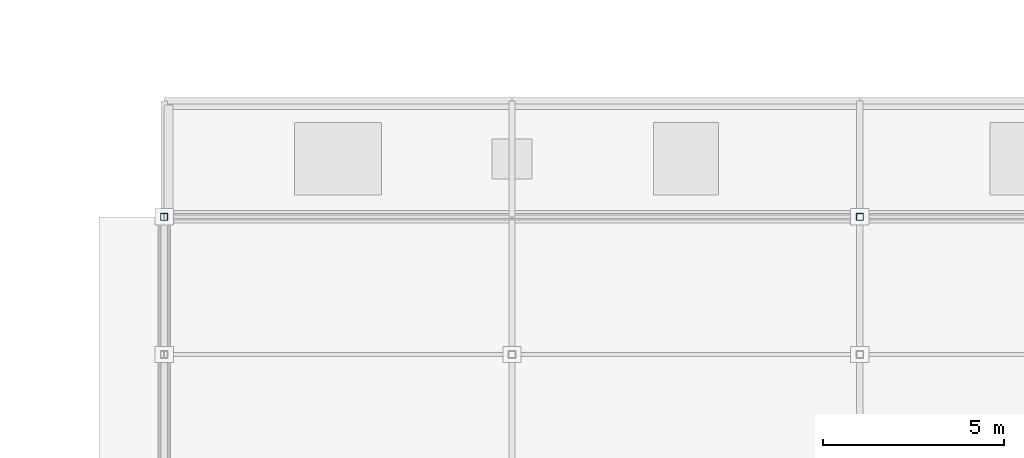
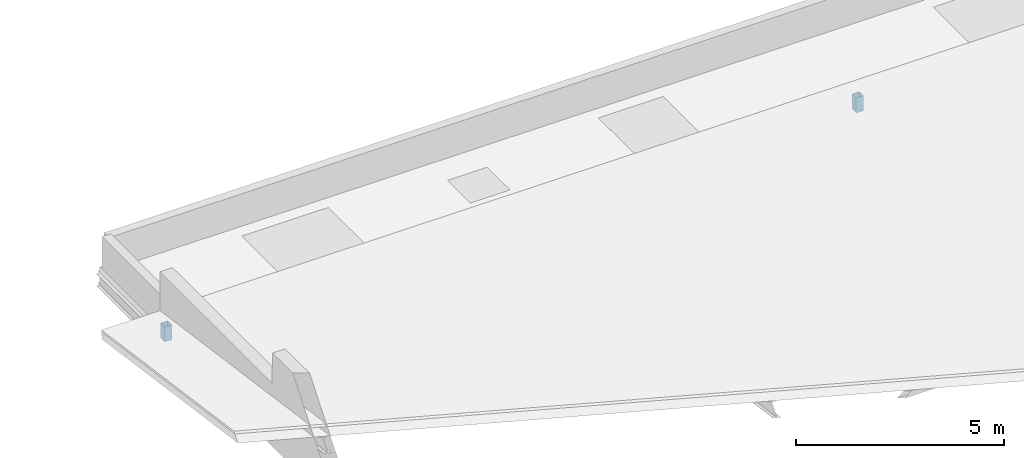
# One storey, part 36 of 70: 2 members.
"""IFC4 building model written with IfcOpenShell, lengths in metres."""

from ifc_helpers import new_model, si_unit, direction, frame, origin, origin_2d, place, context, subcontext, project, spatial, hollow_rectangle, extrude, material, material_profile, profile_set, type_object, element, save


model = new_model("IFC4")

# Units and contexts
model_context = context("Model", 3, precision=1e-05, world=origin(), true_north=direction((0.0, 1.0)))
body_context = subcontext(model_context, "Body", "Model", "MODEL_VIEW")
ifc_project = project(units=[si_unit("LENGTHUNIT", "METRE"), si_unit("AREAUNIT", "SQUARE_METRE"), si_unit("VOLUMEUNIT", "CUBIC_METRE"), si_unit("PLANEANGLEUNIT", "RADIAN"), si_unit("MASSUNIT", "GRAM", prefix="KILO")], contexts=[model_context])

# Site, building, storey
site_placement = place(None, origin())
site = spatial("IfcSite", under=ifc_project, at=site_placement, CompositionType="ELEMENT")
building_placement = place(site_placement, origin())
building = spatial("IfcBuilding", under=site, at=building_placement, Name="Vondelvale Polytechnic", CompositionType="ELEMENT")
storey_placement = place(building_placement, frame((0.0, 0.0, 22.199951171875)))
storey = spatial("IfcBuildingStorey", under=building, at=storey_placement, Name="L05", CompositionType="ELEMENT", Elevation=22.199951171875)

# Members
ifc_material = material(Name="Steel C350L0 (fy = 350 MPa)", Category="steel")
ifc_material_profile = material_profile(ifc_material, hollow_rectangle(XDim=0.199951171875, YDim=0.199951171875, WallThickness=0.009033203125, at=origin_2d()), Name="200x200x9.0SHS")
ifc_profile_set = profile_set([ifc_material_profile], Name="Steel C350L0 (fy = 350 MPa)")
member_type = type_object("IfcMemberType", Name="ROOF TRUSS POST 200SHS", PredefinedType="POST", material=ifc_profile_set)
for number, where, z_axis, x_axis, name in (
    (1, (134.39990234375, 24.199951171875, -0.179931640625), (0.0, 0.0, 1.0), (1.0, 0.0, 0.0), "Lecture wing roof post"),
    (2, (153.60009765625, 24.199951171875, -0.179931640625), (0.0, 0.0, 1.0), (1.0, 0.0, 0.0), "Lecture wing roof post"),
):
    element("IfcMember", number, at=place(storey_placement, frame(where, z_axis=z_axis, x_axis=x_axis)), inside=storey, type_object=member_type, Name=name, PredefinedType="POST", context=body_context, shape_type="SweptSolid", body=[
        extrude(hollow_rectangle(XDim=0.199951171875, YDim=0.199951171875, WallThickness=0.009033203125, at=origin_2d()), origin(), (0.0, 0.0, 1.0), 0.44189453125),
    ])

save(model, "model.ifc")
